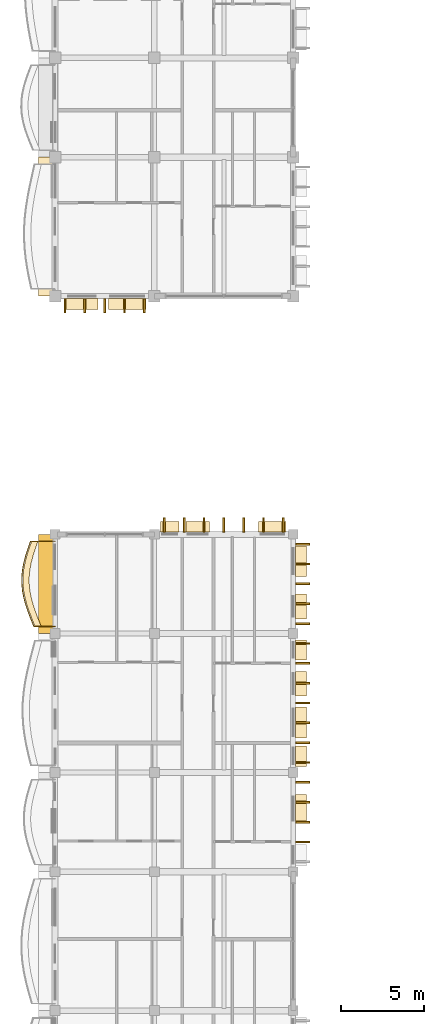
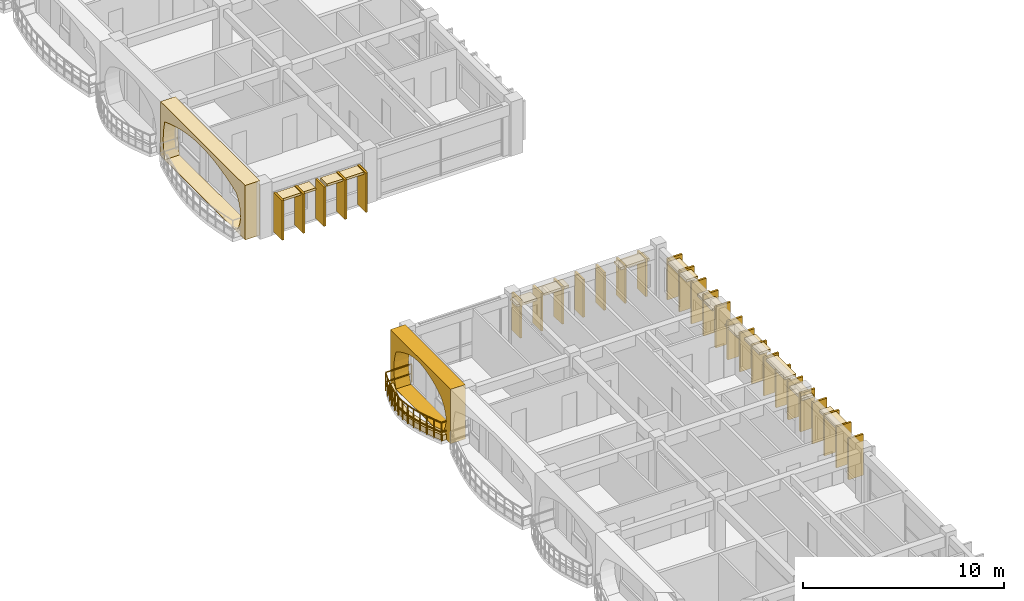
# One storey, part 54 of 76: 43 coverings, 1 railing.
"""IFC4 building model written with IfcOpenShell, lengths in metres."""

from ifc_helpers import new_model, si_unit, direction, frame, origin, origin_2d, place, context, subcontext, project, spatial, polyline, rectangle, outline, extrude, material, layer, layer_set, type_object, element, save


model = new_model("IFC4")

# Units and contexts
model_context = context("Model", 3, precision=1e-05, world=origin(), true_north=direction((0.0, 1.0)))
body_context = subcontext(model_context, "Body", "Model", "MODEL_VIEW")
ifc_project = project(units=[si_unit("LENGTHUNIT", "METRE"), si_unit("AREAUNIT", "SQUARE_METRE"), si_unit("VOLUMEUNIT", "CUBIC_METRE"), si_unit("PLANEANGLEUNIT", "RADIAN"), si_unit("MASSUNIT", "GRAM", prefix="KILO"), si_unit("THERMODYNAMICTEMPERATUREUNIT", "KELVIN")], contexts=[model_context])

# Site, building, storey
site_placement = place(None, origin())
site = spatial("IfcSite", under=ifc_project, at=site_placement, CompositionType="ELEMENT")
building_placement = place(site_placement, origin())
building = spatial("IfcBuilding", under=site, at=building_placement, Name="Thalorik Housing Commons", CompositionType="ELEMENT")
storey_placement = place(building_placement, frame((0.0, 0.0, 18.0)))
storey = spatial("IfcBuildingStorey", under=building, at=storey_placement, Name="L05", CompositionType="ELEMENT", Elevation=18.0)

# Coverings
ifc_material_1 = material(Name="Precast concrete C40/50", Category="concrete")
ifc_layer_1 = layer(ifc_material_1, 0.85009765625, Name="Precast concrete C40/50", Category="concrete")
ifc_layer_set_1 = layer_set([ifc_layer_1], Name="Precast concrete C40/50")
covering_type_1 = type_object("IfcCoveringType", Name="ARC-CLD-CUSH-850", PredefinedType="CLADDING", material=ifc_layer_set_1)
covering_1_placement = place(storey_placement, frame((7.822509765625, 76.199951171875, 0.0), z_axis=(0.0, 0.0, 1.0), x_axis=(0.0, -1.0, 0.0)))
element("IfcCovering", 1, at=covering_1_placement, inside=storey, type_object=covering_type_1, Name="L05 White Precast Curved Cushion Bay Frame 573", PredefinedType="CLADDING", context=body_context, shape_type="SweptSolid", body=[
    extrude(outline(polyline([(-4.199951171875, 0.0), (4.199951171875, 0.0), (4.199951171875, 3.300048828125), (-4.199951171875, 3.300048828125), (-4.199951171875, 0.0)]), holes=[polyline([(3.340087890625, 0.02490234375), (3.56787109375, 0.407470703125), (3.704345703125, 0.7900390625), (3.75, 1.172607421875), (3.704345703125, 1.554931640625), (3.56787109375, 1.9375), (3.340087890625, 2.320068359375), (2.74658203125, 2.539306640625), (2.1533203125, 2.711181640625), (1.56005859375, 2.8505859375), (0.966796875, 2.954345703125), (0.373291015625, 3.018310546875), (-0.219970703125, 3.0400390625), (-0.813232421875, 3.018310546875), (-1.40673828125, 2.954345703125), (-2.0, 2.8505859375), (-2.59326171875, 2.711181640625), (-3.186767578125, 2.539306640625), (-3.780029296875, 2.320068359375), (-3.86865234375, 1.9375), (-3.921875, 1.554931640625), (-3.939697265625, 1.172607421875), (-3.921875, 0.7900390625), (-3.86865234375, 0.407470703125), (-3.780029296875, 0.02490234375), (3.340087890625, 0.02490234375)])]), frame((0.0, 0.425048828125, 0.0), z_axis=(0.0, -1.0, 0.0), x_axis=(1.0, 0.0, 0.0)), (0.0, 0.0, 1.0), 0.85009765625),
])
covering_2_placement = place(storey_placement, frame((7.83740234375, 54.60009765625, 0.0), z_axis=(0.0, 0.0, 1.0), x_axis=(0.0, -1.0, 0.0)))
element("IfcCovering", 2, at=covering_2_placement, inside=storey, type_object=covering_type_1, Name="L05 White Precast Curved Cushion Bay Frame 3956", PredefinedType="CLADDING", context=body_context, shape_type="SweptSolid", body=[
    extrude(outline(polyline([(-3.0, 0.0), (3.0, 0.0), (3.0, 3.300048828125), (-3.0, 3.300048828125), (-3.0, 0.0)]), holes=[polyline([(2.0400390625, 0.02490234375), (2.3232421875, 0.399169921875), (2.493408203125, 0.773193359375), (2.550048828125, 1.1474609375), (2.493408203125, 1.521728515625), (2.3232421875, 1.895751953125), (2.0400390625, 2.27001953125), (1.66748046875, 2.50439453125), (1.294921875, 2.6884765625), (0.922607421875, 2.837646484375), (0.550048828125, 2.948486328125), (0.177490234375, 3.016845703125), (-0.195068359375, 3.0400390625), (-0.5673828125, 3.016845703125), (-0.93994140625, 2.948486328125), (-1.3125, 2.837646484375), (-1.68505859375, 2.6884765625), (-2.0576171875, 2.50439453125), (-2.429931640625, 2.27001953125), (-2.55029296875, 1.895751953125), (-2.62255859375, 1.521728515625), (-2.646484375, 1.1474609375), (-2.62255859375, 0.773193359375), (-2.55029296875, 0.399169921875), (-2.429931640625, 0.02490234375), (2.0400390625, 0.02490234375)])]), frame((0.0, 0.425048828125, 0.0), z_axis=(0.0, -1.0, 0.0), x_axis=(1.0, 0.0, 0.0)), (0.0, 0.0, 1.0), 0.85009765625),
])
ifc_layer_2 = layer(ifc_material_1, 0.85009765625, Name="Precast concrete C40/50", Category="concrete")
ifc_layer_set_2 = layer_set([ifc_layer_2], Name="Precast concrete C40/50")
covering_type_2 = type_object("IfcCoveringType", Name="ARC-CLD-FIN-850", PredefinedType="CLADDING", material=ifc_layer_set_2)
for number, where, z_axis, x_axis, name in (
    (3, (9.0, 71.422607421875, 0.0400390625), (0.0, 0.0, 1.0), (1.0, 0.0, 0.0), "L05 Courtyard Precast Vertical Brise-Soleil Fin 575"),
    (4, (10.199951171875, 71.422607421875, 0.0400390625), (0.0, 0.0, 1.0), (1.0, 0.0, 0.0), "L05 Courtyard Precast Vertical Brise-Soleil Fin 576"),
    (5, (11.39990234375, 71.422607421875, 0.0400390625), (0.0, 0.0, 1.0), (1.0, 0.0, 0.0), "L05 Courtyard Precast Vertical Brise-Soleil Fin 577"),
    (6, (12.60009765625, 71.422607421875, 0.0400390625), (0.0, 0.0, 1.0), (1.0, 0.0, 0.0), "L05 Courtyard Precast Vertical Brise-Soleil Fin 578"),
    (7, (13.800048828125, 71.422607421875, 0.0400390625), (0.0, 0.0, 1.0), (1.0, 0.0, 0.0), "L05 Courtyard Precast Vertical Brise-Soleil Fin 579"),
):
    element("IfcCovering", number, at=place(storey_placement, frame(where, z_axis=z_axis, x_axis=x_axis)), inside=storey, type_object=covering_type_2, Name=name, PredefinedType="CLADDING", context=body_context, shape_type="SweptSolid", body=[
        extrude(rectangle(XDim=0.110107421875, YDim=0.85009765625, at=origin_2d()), origin(), (0.0, 0.0, 1.0), 2.39501953125),
    ])
for number, where, z_axis, x_axis, name in (
    (8, (23.362548828125, 39.0, 0.0400390625), (0.0, 0.0, 1.0), (0.0, 1.0, 0.0), "L05 Courtyard Precast Vertical Brise-Soleil Fin 3922"),
    (9, (23.362548828125, 40.199951171875, 0.0400390625), (0.0, 0.0, 1.0), (0.0, 1.0, 0.0), "L05 Courtyard Precast Vertical Brise-Soleil Fin 3923"),
    (10, (23.362548828125, 41.39990234375, 0.0400390625), (0.0, 0.0, 1.0), (0.0, 1.0, 0.0), "L05 Courtyard Precast Vertical Brise-Soleil Fin 3924"),
    (11, (23.362548828125, 42.60009765625, 0.0400390625), (0.0, 0.0, 1.0), (0.0, 1.0, 0.0), "L05 Courtyard Precast Vertical Brise-Soleil Fin 3925"),
):
    element("IfcCovering", number, at=place(storey_placement, frame(where, z_axis=z_axis, x_axis=x_axis)), inside=storey, type_object=covering_type_2, Name=name, PredefinedType="CLADDING", context=body_context, shape_type="SweptSolid", body=[
        extrude(rectangle(XDim=0.110107421875, YDim=0.85009765625, at=origin_2d()), origin(), (0.0, 0.0, 1.0), 2.4951171875),
    ])
for number, where, z_axis, x_axis, name in (
    (12, (23.362548828125, 43.800048828125, 0.0400390625), (0.0, 0.0, 1.0), (0.0, 1.0, 0.0), "L05 Courtyard Precast Vertical Brise-Soleil Fin 3928"),
    (13, (23.362548828125, 45.0, 0.0400390625), (0.0, 0.0, 1.0), (0.0, 1.0, 0.0), "L05 Courtyard Precast Vertical Brise-Soleil Fin 3929"),
    (14, (23.362548828125, 46.199951171875, 0.0400390625), (0.0, 0.0, 1.0), (0.0, 1.0, 0.0), "L05 Courtyard Precast Vertical Brise-Soleil Fin 3930"),
    (15, (23.362548828125, 47.39990234375, 0.0400390625), (0.0, 0.0, 1.0), (0.0, 1.0, 0.0), "L05 Courtyard Precast Vertical Brise-Soleil Fin 3931"),
    (16, (23.362548828125, 48.60009765625, 0.0400390625), (0.0, 0.0, 1.0), (0.0, 1.0, 0.0), "L05 Courtyard Precast Vertical Brise-Soleil Fin 3932"),
    (17, (23.362548828125, 49.800048828125, 0.0400390625), (0.0, 0.0, 1.0), (0.0, 1.0, 0.0), "L05 Courtyard Precast Vertical Brise-Soleil Fin 3933"),
    (18, (23.362548828125, 51.0, 0.0400390625), (0.0, 0.0, 1.0), (0.0, 1.0, 0.0), "L05 Courtyard Precast Vertical Brise-Soleil Fin 3934"),
):
    element("IfcCovering", number, at=place(storey_placement, frame(where, z_axis=z_axis, x_axis=x_axis)), inside=storey, type_object=covering_type_2, Name=name, PredefinedType="CLADDING", context=body_context, shape_type="SweptSolid", body=[
        extrude(rectangle(XDim=0.110107421875, YDim=0.85009765625, at=origin_2d()), origin(), (0.0, 0.0, 1.0), 2.344970703125),
    ])
for number, where, z_axis, x_axis, name in (
    (19, (23.362548828125, 52.199951171875, 0.0400390625), (0.0, 0.0, 1.0), (0.0, 1.0, 0.0), "L05 Courtyard Precast Vertical Brise-Soleil Fin 3939"),
    (20, (23.362548828125, 53.39990234375, 0.0400390625), (0.0, 0.0, 1.0), (0.0, 1.0, 0.0), "L05 Courtyard Precast Vertical Brise-Soleil Fin 3940"),
    (21, (23.362548828125, 54.60009765625, 0.0400390625), (0.0, 0.0, 1.0), (0.0, 1.0, 0.0), "L05 Courtyard Precast Vertical Brise-Soleil Fin 3941"),
    (22, (23.362548828125, 55.800048828125, 0.0400390625), (0.0, 0.0, 1.0), (0.0, 1.0, 0.0), "L05 Courtyard Precast Vertical Brise-Soleil Fin 3942"),
    (23, (23.362548828125, 57.0, 0.0400390625), (0.0, 0.0, 1.0), (0.0, 1.0, 0.0), "L05 Courtyard Precast Vertical Brise-Soleil Fin 3943"),
):
    element("IfcCovering", number, at=place(storey_placement, frame(where, z_axis=z_axis, x_axis=x_axis)), inside=storey, type_object=covering_type_2, Name=name, PredefinedType="CLADDING", context=body_context, shape_type="SweptSolid", body=[
        extrude(rectangle(XDim=0.110107421875, YDim=0.85009765625, at=origin_2d()), origin(), (0.0, 0.0, 1.0), 2.4951171875),
    ])
for number, where, z_axis, x_axis, name in (
    (24, (22.199951171875, 58.16259765625, 0.0400390625), (0.0, 0.0, 1.0), (-1.0, 0.0, 0.0), "L05 Courtyard Precast Vertical Brise-Soleil Fin 3946"),
    (25, (21.0, 58.16259765625, 0.0400390625), (0.0, 0.0, 1.0), (-1.0, 0.0, 0.0), "L05 Courtyard Precast Vertical Brise-Soleil Fin 3947"),
    (26, (19.800048828125, 58.16259765625, 0.0400390625), (0.0, 0.0, 1.0), (-1.0, 0.0, 0.0), "L05 Courtyard Precast Vertical Brise-Soleil Fin 3948"),
    (27, (18.60009765625, 58.16259765625, 0.0400390625), (0.0, 0.0, 1.0), (-1.0, 0.0, 0.0), "L05 Courtyard Precast Vertical Brise-Soleil Fin 3949"),
    (28, (17.39990234375, 58.16259765625, 0.0400390625), (0.0, 0.0, 1.0), (-1.0, 0.0, 0.0), "L05 Courtyard Precast Vertical Brise-Soleil Fin 3950"),
    (29, (16.199951171875, 58.16259765625, 0.0400390625), (0.0, 0.0, 1.0), (-1.0, 0.0, 0.0), "L05 Courtyard Precast Vertical Brise-Soleil Fin 3951"),
    (30, (15.0, 58.16259765625, 0.0400390625), (0.0, 0.0, 1.0), (-1.0, 0.0, 0.0), "L05 Courtyard Precast Vertical Brise-Soleil Fin 3952"),
):
    element("IfcCovering", number, at=place(storey_placement, frame(where, z_axis=z_axis, x_axis=x_axis)), inside=storey, type_object=covering_type_2, Name=name, PredefinedType="CLADDING", context=body_context, shape_type="SweptSolid", body=[
        extrude(rectangle(XDim=0.110107421875, YDim=0.85009765625, at=origin_2d()), origin(), (0.0, 0.0, 1.0), 2.294921875),
    ])
ifc_layer_3 = layer(ifc_material_1, 0.64990234375, Name="Precast concrete C40/50", Category="concrete")
ifc_layer_set_3 = layer_set([ifc_layer_3], Name="Precast concrete C40/50")
covering_type_3 = type_object("IfcCoveringType", Name="ARC-CLD-HOOD-650", PredefinedType="CLADDING", material=ifc_layer_set_3)
covering_3_placement = place(storey_placement, frame((10.030029296875, 71.5224609375, 2.25), z_axis=(0.0, 0.0, 1.0), x_axis=(1.0, 0.0, 0.0)))
element("IfcCovering", 31, at=covering_3_placement, inside=storey, type_object=covering_type_3, Name="L05 Courtyard Precast Window Sun-Hood 580", PredefinedType="CLADDING", context=body_context, shape_type="SweptSolid", body=[
    extrude(rectangle(XDim=1.919921875, YDim=0.64990234375, at=origin_2d()), origin(), (0.0, 0.0, 1.0), 0.139892578125),
])
covering_4_placement = place(storey_placement, frame((12.77001953125, 71.5224609375, 2.25), z_axis=(0.0, 0.0, 1.0), x_axis=(1.0, 0.0, 0.0)))
element("IfcCovering", 32, at=covering_4_placement, inside=storey, type_object=covering_type_3, Name="L05 Courtyard Precast Window Sun-Hood 581", PredefinedType="CLADDING", context=body_context, shape_type="SweptSolid", body=[
    extrude(rectangle(XDim=2.280029296875, YDim=0.64990234375, at=origin_2d()), origin(), (0.0, 0.0, 1.0), 0.139892578125),
])
covering_5_placement = place(storey_placement, frame((23.262451171875, 41.011474609375, 2.39013671875), z_axis=(0.0, 0.0, 1.0), x_axis=(0.0, 1.0, 0.0)))
element("IfcCovering", 33, at=covering_5_placement, inside=storey, type_object=covering_type_3, Name="L05 Courtyard Precast Window Sun-Hood 3927", PredefinedType="CLADDING", context=body_context, shape_type="SweptSolid", body=[
    extrude(rectangle(XDim=1.68994140625, YDim=0.64990234375, at=origin_2d()), origin(), (0.0, 0.0, 1.0), 0.139892578125),
])
covering_6_placement = place(storey_placement, frame((23.262451171875, 44.18505859375, 2.0400390625), z_axis=(0.0, 0.0, 1.0), x_axis=(0.0, 1.0, 0.0)))
element("IfcCovering", 34, at=covering_6_placement, inside=storey, type_object=covering_type_3, Name="L05 Courtyard Precast Window Sun-Hood 3935", PredefinedType="CLADDING", context=body_context, shape_type="SweptSolid", body=[
    extrude(rectangle(XDim=1.239990234375, YDim=0.64990234375, at=origin_2d()), origin(), (0.0, 0.0, 1.0), 0.139892578125),
])
covering_7_placement = place(storey_placement, frame((23.262451171875, 46.22216796875, 2.27490234375), z_axis=(0.0, 0.0, 1.0), x_axis=(0.0, 1.0, 0.0)))
element("IfcCovering", 35, at=covering_7_placement, inside=storey, type_object=covering_type_3, Name="L05 Courtyard Precast Window Sun-Hood 3936", PredefinedType="CLADDING", context=body_context, shape_type="SweptSolid", body=[
    extrude(rectangle(XDim=1.889892578125, YDim=0.64990234375, at=origin_2d()), origin(), (0.0, 0.0, 1.0), 0.139892578125),
])
covering_8_placement = place(storey_placement, frame((23.262451171875, 48.566650390625, 2.240234375), z_axis=(0.0, 0.0, 1.0), x_axis=(0.0, 1.0, 0.0)))
element("IfcCovering", 36, at=covering_8_placement, inside=storey, type_object=covering_type_3, Name="L05 Courtyard Precast Window Sun-Hood 3937", PredefinedType="CLADDING", context=body_context, shape_type="SweptSolid", body=[
    extrude(rectangle(XDim=1.489990234375, YDim=0.64990234375, at=origin_2d()), origin(), (0.0, 0.0, 1.0), 0.139892578125),
])
covering_9_placement = place(storey_placement, frame((23.262451171875, 50.609375, 1.93994140625), z_axis=(0.0, 0.0, 1.0), x_axis=(0.0, 1.0, 0.0)))
element("IfcCovering", 37, at=covering_9_placement, inside=storey, type_object=covering_type_3, Name="L05 Courtyard Precast Window Sun-Hood 3938", PredefinedType="CLADDING", context=body_context, shape_type="SweptSolid", body=[
    extrude(rectangle(XDim=1.18994140625, YDim=0.64990234375, at=origin_2d()), origin(), (0.0, 0.0, 1.0), 0.139892578125),
])
covering_10_placement = place(storey_placement, frame((23.262451171875, 53.22998046875, 2.08984375), z_axis=(0.0, 0.0, 1.0), x_axis=(0.0, 1.0, 0.0)))
element("IfcCovering", 38, at=covering_10_placement, inside=storey, type_object=covering_type_3, Name="L05 Courtyard Precast Window Sun-Hood 3944", PredefinedType="CLADDING", context=body_context, shape_type="SweptSolid", body=[
    extrude(rectangle(XDim=1.489990234375, YDim=0.64990234375, at=origin_2d()), origin(), (0.0, 0.0, 1.0), 0.139892578125),
])
covering_11_placement = place(storey_placement, frame((23.262451171875, 55.969970703125, 2.27001953125), z_axis=(0.0, 0.0, 1.0), x_axis=(0.0, 1.0, 0.0)))
element("IfcCovering", 39, at=covering_11_placement, inside=storey, type_object=covering_type_3, Name="L05 Courtyard Precast Window Sun-Hood 3945", PredefinedType="CLADDING", context=body_context, shape_type="SweptSolid", body=[
    extrude(rectangle(XDim=1.820068359375, YDim=0.64990234375, at=origin_2d()), origin(), (0.0, 0.0, 1.0), 0.139892578125),
])
covering_12_placement = place(storey_placement, frame((21.53271484375, 58.0625, 2.169921875), z_axis=(0.0, 0.0, 1.0), x_axis=(-1.0, 0.0, 0.0)))
element("IfcCovering", 40, at=covering_12_placement, inside=storey, type_object=covering_type_3, Name="L05 Courtyard Precast Window Sun-Hood 3953", PredefinedType="CLADDING", context=body_context, shape_type="SweptSolid", body=[
    extrude(rectangle(XDim=1.659912109375, YDim=0.64990234375, at=origin_2d()), origin(), (0.0, 0.0, 1.0), 0.139892578125),
])
covering_13_placement = place(storey_placement, frame((17.030029296875, 58.0625, 2.14013671875), z_axis=(0.0, 0.0, 1.0), x_axis=(-1.0, 0.0, 0.0)))
element("IfcCovering", 41, at=covering_13_placement, inside=storey, type_object=covering_type_3, Name="L05 Courtyard Precast Window Sun-Hood 3954", PredefinedType="CLADDING", context=body_context, shape_type="SweptSolid", body=[
    extrude(rectangle(XDim=1.43994140625, YDim=0.64990234375, at=origin_2d()), origin(), (0.0, 0.0, 1.0), 0.139892578125),
])
covering_14_placement = place(storey_placement, frame((15.3349609375, 58.0625, 1.990234375), z_axis=(0.0, 0.0, 1.0), x_axis=(-1.0, 0.0, 0.0)))
element("IfcCovering", 42, at=covering_14_placement, inside=storey, type_object=covering_type_3, Name="L05 Courtyard Precast Window Sun-Hood 3955", PredefinedType="CLADDING", context=body_context, shape_type="SweptSolid", body=[
    extrude(rectangle(XDim=1.139892578125, YDim=0.64990234375, at=origin_2d()), origin(), (0.0, 0.0, 1.0), 0.139892578125),
])
ifc_material_2 = material(Name="Planted vegetated substrate and terracotta trough", Category="masonry")
ifc_layer_4 = layer(ifc_material_2, 0.340087890625, Name="Planted vegetated substrate and terracotta trough", Category="masonry")
ifc_layer_set_4 = layer_set([ifc_layer_4], Name="Planted vegetated substrate and terracotta trough")
covering_type_4 = type_object("IfcCoveringType", Name="ARC-COV-PLANTER", PredefinedType="USERDEFINED", material=ifc_layer_set_4)
covering_15_placement = place(storey_placement, origin())
element("IfcCovering", 43, at=covering_15_placement, inside=storey, type_object=covering_type_4, Name="L05 Balcony Slab-Edge Planted Trough 5601", ObjectType="PLANTER", PredefinedType="USERDEFINED", context=body_context, shape_type="SweptSolid", body=[
    extrude(outline(polyline([(6.98388671875, 57.179931640625), (6.831787109375, 56.75), (6.694091796875, 56.320068359375), (6.580810546875, 55.889892578125), (6.500244140625, 55.4599609375), (6.458251953125, 55.030029296875), (6.458251953125, 54.60009765625), (6.5009765625, 54.169921875), (6.58447265625, 53.739990234375), (6.70361328125, 53.31005859375), (6.850830078125, 52.8798828125), (7.01708984375, 52.449951171875), (7.19140625, 52.02001953125), (7.571533203125, 52.02001953125), (7.397216796875, 52.449951171875), (7.23095703125, 52.8798828125), (7.08349609375, 53.31005859375), (6.964599609375, 53.739990234375), (6.881103515625, 54.169921875), (6.838134765625, 54.60009765625), (6.838134765625, 55.030029296875), (6.880126953125, 55.4599609375), (6.9609375, 55.889892578125), (7.07421875, 56.320068359375), (7.211669921875, 56.75), (7.364013671875, 57.179931640625), (6.98388671875, 57.179931640625)])), origin(), (0.0, 0.0, 1.0), 0.340087890625),
])

# Railing
ifc_material_3 = material(Name="Steel S355", Category="steel")
railing_type = type_object("IfcRailingType", Name="ARC-RL-BAL-115", PredefinedType="BALUSTRADE", material=ifc_material_3)
railing_placement = place(storey_placement, frame((8.39990234375, 57.179931640625, 0.0)))
element("IfcRailing", 44, at=railing_placement, inside=storey, type_object=railing_type, Name="L05 Cushion Balcony Guardrail 285", PredefinedType="BALUSTRADE", context=body_context, shape_type="SweptSolid", body=[
    extrude(rectangle(XDim=0.050048828125, YDim=0.050048828125, at=origin_2d()), frame((0.0, 0.0, 1.125), z_axis=(-1.0, 0.0, 0.0), x_axis=(0.0, -1.0, 0.0)), (0.0, 0.0, 1.0), 1.48583984375),
    extrude(rectangle(XDim=0.050048828125, YDim=0.050048828125, at=origin_2d()), frame((0.0, 0.0, 0.5498046875), z_axis=(-1.0, 0.0, 0.0), x_axis=(0.0, -1.0, 0.0)), (0.0, 0.0, 1.0), 1.48583984375),
    extrude(rectangle(XDim=0.050048828125, YDim=0.050048828125, at=origin_2d()), frame((-1.48583984375, 0.0, 1.125), z_axis=(-0.333995761205, -0.942574576093, 0.0), x_axis=(0.942574576093, -0.333995761205, 0.0)), (0.0, 0.0, 1.0), 0.4560546875),
    extrude(rectangle(XDim=0.050048828125, YDim=0.050048828125, at=origin_2d()), frame((-1.48583984375, 0.0, 0.5498046875), z_axis=(-0.333995761205, -0.942574576093, 0.0), x_axis=(0.942574576093, -0.333995761205, 0.0)), (0.0, 0.0, 1.0), 0.4560546875),
    extrude(rectangle(XDim=0.050048828125, YDim=0.050048828125, at=origin_2d()), frame((-1.63818359375, -0.429931640625, 1.125), z_axis=(-0.305011189479, -0.95234876715, 0.0), x_axis=(0.95234876715, -0.305011189479, 0.0)), (0.0, 0.0, 1.0), 0.451416015625),
    extrude(rectangle(XDim=0.050048828125, YDim=0.050048828125, at=origin_2d()), frame((-1.63818359375, -0.429931640625, 0.5498046875), z_axis=(-0.305011189479, -0.95234876715, 0.0), x_axis=(0.95234876715, -0.305011189479, 0.0)), (0.0, 0.0, 1.0), 0.451416015625),
    extrude(rectangle(XDim=0.050048828125, YDim=0.050048828125, at=origin_2d()), frame((-1.77587890625, -0.85986328125, 1.125), z_axis=(-0.254142041521, -0.967166905312, 0.0), x_axis=(0.967166905312, -0.254142041521, 0.0)), (0.0, 0.0, 1.0), 0.44482421875),
    extrude(rectangle(XDim=0.050048828125, YDim=0.050048828125, at=origin_2d()), frame((-1.77587890625, -0.85986328125, 0.5498046875), z_axis=(-0.254142041521, -0.967166905312, 0.0), x_axis=(0.967166905312, -0.254142041521, 0.0)), (0.0, 0.0, 1.0), 0.44482421875),
    extrude(rectangle(XDim=0.050048828125, YDim=0.050048828125, at=origin_2d()), frame((-1.888916015625, -1.2900390625, 1.125), z_axis=(-0.184726561835, -0.982789955867, 0.0), x_axis=(0.982789955867, -0.184726561835, 0.0)), (0.0, 0.0, 1.0), 0.4375),
    extrude(rectangle(XDim=0.050048828125, YDim=0.050048828125, at=origin_2d()), frame((-1.888916015625, -1.2900390625, 0.5498046875), z_axis=(-0.184726561835, -0.982789955867, 0.0), x_axis=(0.982789955867, -0.184726561835, 0.0)), (0.0, 0.0, 1.0), 0.4375),
    extrude(rectangle(XDim=0.050048828125, YDim=0.050048828125, at=origin_2d()), frame((-1.9697265625, -1.719970703125, 1.125), z_axis=(-0.097209200993, -0.995263970634, 0.0), x_axis=(0.995263970634, -0.097209200993, 0.0)), (0.0, 0.0, 1.0), 0.431884765625),
    extrude(rectangle(XDim=0.050048828125, YDim=0.050048828125, at=origin_2d()), frame((-1.9697265625, -1.719970703125, 0.5498046875), z_axis=(-0.097209200993, -0.995263970634, 0.0), x_axis=(0.995263970634, -0.097209200993, 0.0)), (0.0, 0.0, 1.0), 0.431884765625),
    extrude(rectangle(XDim=0.050048828125, YDim=0.050048828125, at=origin_2d()), frame((-2.01171875, -2.14990234375, 1.125), z_axis=(0.0, -1.0, 0.0), x_axis=(1.0, 0.0, 0.0)), (0.0, 0.0, 1.0), 0.429931640625),
    extrude(rectangle(XDim=0.050048828125, YDim=0.050048828125, at=origin_2d()), frame((-2.01171875, -2.14990234375, 0.5498046875), z_axis=(0.0, -1.0, 0.0), x_axis=(1.0, 0.0, 0.0)), (0.0, 0.0, 1.0), 0.429931640625),
    extrude(rectangle(XDim=0.050048828125, YDim=0.050048828125, at=origin_2d()), frame((-2.01171875, -2.579833984375, 1.125), z_axis=(0.098832696477, -0.995104063959, 0.0), x_axis=(0.995104063959, 0.098832696477, 0.0)), (0.0, 0.0, 1.0), 0.432373046875),
    extrude(rectangle(XDim=0.050048828125, YDim=0.050048828125, at=origin_2d()), frame((-2.01171875, -2.579833984375, 0.5498046875), z_axis=(0.098832696477, -0.995104063959, 0.0), x_axis=(0.995104063959, 0.098832696477, 0.0)), (0.0, 0.0, 1.0), 0.432373046875),
    extrude(rectangle(XDim=0.050048828125, YDim=0.050048828125, at=origin_2d()), frame((-1.968994140625, -3.010009765625, 1.125), z_axis=(0.190645847629, -0.981658882088, 0.0), x_axis=(0.981658882088, 0.190645847629, 0.0)), (0.0, 0.0, 1.0), 0.43798828125),
    extrude(rectangle(XDim=0.050048828125, YDim=0.050048828125, at=origin_2d()), frame((-1.968994140625, -3.010009765625, 0.5498046875), z_axis=(0.190645847629, -0.981658882088, 0.0), x_axis=(0.981658882088, 0.190645847629, 0.0)), (0.0, 0.0, 1.0), 0.43798828125),
    extrude(rectangle(XDim=0.050048828125, YDim=0.050048828125, at=origin_2d()), frame((-1.885498046875, -3.43994140625, 1.125), z_axis=(0.267051104954, -0.963682368492, 0.0), x_axis=(0.963682368492, 0.267051104954, 0.0)), (0.0, 0.0, 1.0), 0.446044921875),
    extrude(rectangle(XDim=0.050048828125, YDim=0.050048828125, at=origin_2d()), frame((-1.885498046875, -3.43994140625, 0.5498046875), z_axis=(0.267051104954, -0.963682368492, 0.0), x_axis=(0.963682368492, 0.267051104954, 0.0)), (0.0, 0.0, 1.0), 0.446044921875),
    extrude(rectangle(XDim=0.050048828125, YDim=0.050048828125, at=origin_2d()), frame((-1.766357421875, -3.869873046875, 1.125), z_axis=(0.324269421085, -0.945964768133, 0.0), x_axis=(0.945964768133, 0.324269421085, 0.0)), (0.0, 0.0, 1.0), 0.454833984375),
    extrude(rectangle(XDim=0.050048828125, YDim=0.050048828125, at=origin_2d()), frame((-1.766357421875, -3.869873046875, 0.5498046875), z_axis=(0.324269421085, -0.945964768133, 0.0), x_axis=(0.945964768133, 0.324269421085, 0.0)), (0.0, 0.0, 1.0), 0.454833984375),
    extrude(rectangle(XDim=0.050048828125, YDim=0.050048828125, at=origin_2d()), frame((-1.618896484375, -4.300048828125, 1.125), z_axis=(0.360221185756, -0.9328669237, 0.0), x_axis=(0.9328669237, 0.360221185756, 0.0)), (0.0, 0.0, 1.0), 0.4609375),
    extrude(rectangle(XDim=0.050048828125, YDim=0.050048828125, at=origin_2d()), frame((-1.618896484375, -4.300048828125, 0.5498046875), z_axis=(0.360221185756, -0.9328669237, 0.0), x_axis=(0.9328669237, 0.360221185756, 0.0)), (0.0, 0.0, 1.0), 0.4609375),
    extrude(rectangle(XDim=0.050048828125, YDim=0.050048828125, at=origin_2d()), frame((-1.452880859375, -4.72998046875, 1.125), z_axis=(0.376193572468, -0.926541092469, 0.0), x_axis=(0.926541092469, 0.376193572468, 0.0)), (0.0, 0.0, 1.0), 0.464111328125),
    extrude(rectangle(XDim=0.050048828125, YDim=0.050048828125, at=origin_2d()), frame((-1.452880859375, -4.72998046875, 0.5498046875), z_axis=(0.376193572468, -0.926541092469, 0.0), x_axis=(0.926541092469, 0.376193572468, 0.0)), (0.0, 0.0, 1.0), 0.464111328125),
    extrude(rectangle(XDim=0.050048828125, YDim=0.050048828125, at=origin_2d()), frame((-1.2783203125, -5.159912109375, 1.125), z_axis=(1.0, 0.0, 0.0), x_axis=(0.0, 1.0, 0.0)), (0.0, 0.0, 1.0), 1.2783203125),
    extrude(rectangle(XDim=0.050048828125, YDim=0.050048828125, at=origin_2d()), frame((-1.2783203125, -5.159912109375, 0.5498046875), z_axis=(1.0, 0.0, 0.0), x_axis=(0.0, 1.0, 0.0)), (0.0, 0.0, 1.0), 1.2783203125),
    extrude(rectangle(XDim=0.0419921875, YDim=0.0419921875, at=origin_2d()), origin(), (0.0, 0.0, 1.0), 1.099853515625),
    extrude(rectangle(XDim=0.0419921875, YDim=0.0419921875, at=origin_2d()), frame((-1.48583984375, 0.0, 0.0)), (0.0, 0.0, 1.0), 1.099853515625),
    extrude(rectangle(XDim=0.0419921875, YDim=0.0419921875, at=origin_2d()), frame((-1.63818359375, -0.429931640625, 0.0)), (0.0, 0.0, 1.0), 1.099853515625),
    extrude(rectangle(XDim=0.0419921875, YDim=0.0419921875, at=origin_2d()), frame((-1.77587890625, -0.85986328125, 0.0)), (0.0, 0.0, 1.0), 1.099853515625),
    extrude(rectangle(XDim=0.0419921875, YDim=0.0419921875, at=origin_2d()), frame((-1.888916015625, -1.2900390625, 0.0)), (0.0, 0.0, 1.0), 1.099853515625),
    extrude(rectangle(XDim=0.0419921875, YDim=0.0419921875, at=origin_2d()), frame((-1.9697265625, -1.719970703125, 0.0)), (0.0, 0.0, 1.0), 1.099853515625),
    extrude(rectangle(XDim=0.0419921875, YDim=0.0419921875, at=origin_2d()), frame((-2.01171875, -2.14990234375, 0.0)), (0.0, 0.0, 1.0), 1.099853515625),
    extrude(rectangle(XDim=0.0419921875, YDim=0.0419921875, at=origin_2d()), frame((-2.01171875, -2.579833984375, 0.0)), (0.0, 0.0, 1.0), 1.099853515625),
    extrude(rectangle(XDim=0.0419921875, YDim=0.0419921875, at=origin_2d()), frame((-1.968994140625, -3.010009765625, 0.0)), (0.0, 0.0, 1.0), 1.099853515625),
    extrude(rectangle(XDim=0.0419921875, YDim=0.0419921875, at=origin_2d()), frame((-1.885498046875, -3.43994140625, 0.0)), (0.0, 0.0, 1.0), 1.099853515625),
    extrude(rectangle(XDim=0.0419921875, YDim=0.0419921875, at=origin_2d()), frame((-1.766357421875, -3.869873046875, 0.0)), (0.0, 0.0, 1.0), 1.099853515625),
    extrude(rectangle(XDim=0.0419921875, YDim=0.0419921875, at=origin_2d()), frame((-1.618896484375, -4.300048828125, 0.0)), (0.0, 0.0, 1.0), 1.099853515625),
    extrude(rectangle(XDim=0.0419921875, YDim=0.0419921875, at=origin_2d()), frame((-1.452880859375, -4.72998046875, 0.0)), (0.0, 0.0, 1.0), 1.099853515625),
    extrude(rectangle(XDim=0.0419921875, YDim=0.0419921875, at=origin_2d()), frame((-1.2783203125, -5.159912109375, 0.0)), (0.0, 0.0, 1.0), 1.099853515625),
    extrude(rectangle(XDim=0.0419921875, YDim=0.0419921875, at=origin_2d()), frame((0.0, -5.159912109375, 0.0)), (0.0, 0.0, 1.0), 1.099853515625),
])

save(model, "model.ifc")
